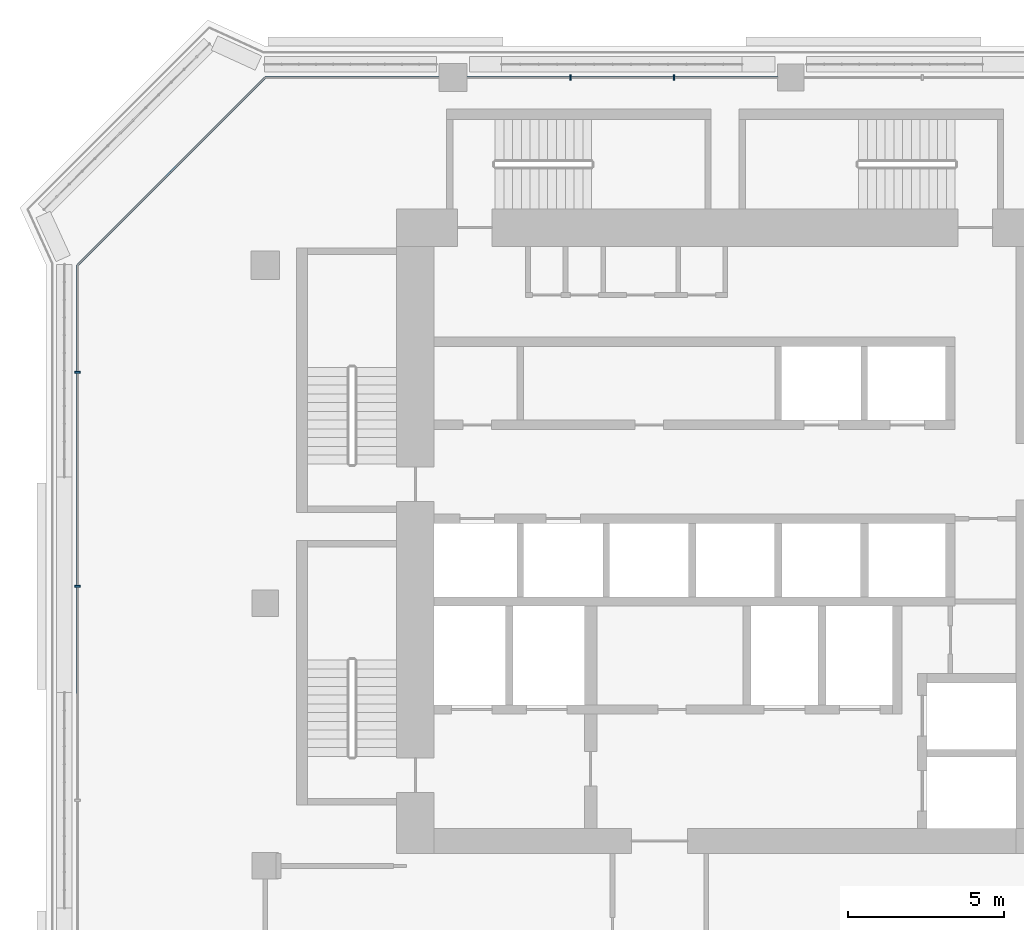
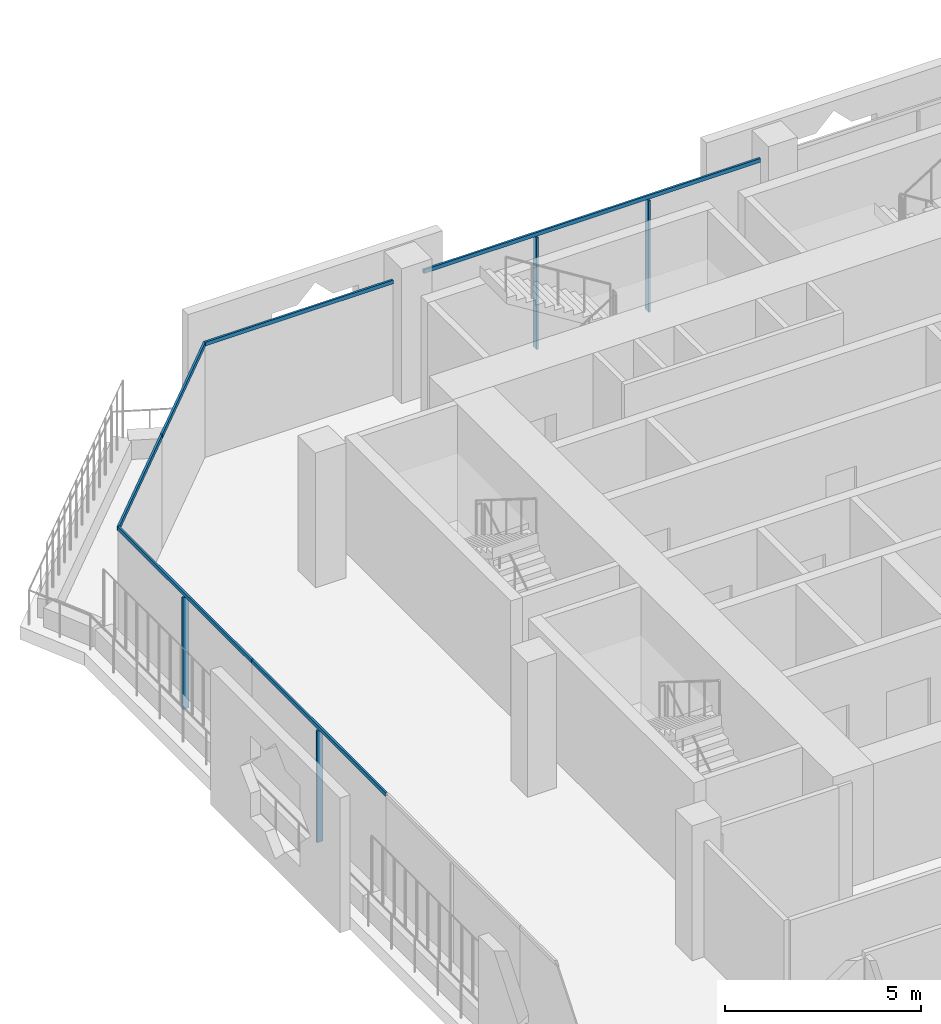
# One storey, part 6 of 23: 10 members, 3 elements without a shape of their own.
"""IFC4 building model written with IfcOpenShell, lengths in metres."""

import ifcopenshell
import ifcopenshell.guid

model = None  # the IFC model being written
_history = None  # IfcOwnerHistory: only IFC2X3 demands one
_inside = {}  # id of a spatial element -> (the spatial element, [elements in it])
_under = {}  # id of a project, library or spatial element -> (it, [spatial elements below it])
_declared = {}  # id of a project -> (the project, [libraries it declares])
_typed = {}  # id of a type object -> (the type object, [elements of that type])
_made_of = {}  # id of a material, layer set ... -> (it, [elements and type objects made of it])


def new_model(schema):
    """Start an empty IFC model of exactly this schema.

    Asked for "IFC4X3", IfcOpenShell would pick the latest addendum, in which some entities
    have other attributes; the version numbers below select the first issue.
    IFC2X3 requires an IfcOwnerHistory on every rooted entity: one is made here for all.
    """
    global model, _history
    if schema == "IFC4X3":
        model = ifcopenshell.file(schema_version=(4, 3, 0, 0))
    else:
        model = ifcopenshell.file(schema=schema)
    _inside.clear()
    _under.clear()
    _declared.clear()
    _typed.clear()
    _made_of.clear()
    _history = None
    if model.schema == "IFC2X3":
        org = make("IfcOrganization", Name="unknown")
        user = make(
            "IfcPersonAndOrganization",
            ThePerson=make("IfcPerson", FamilyName="unknown"),
            TheOrganization=org,
        )
        app = make(
            "IfcApplication",
            ApplicationDeveloper=org,
            Version="unknown",
            ApplicationFullName="unknown",
            ApplicationIdentifier="unknown",
        )
        _history = make(
            "IfcOwnerHistory",
            OwningUser=user,
            OwningApplication=app,
            ChangeAction="ADDED",
            CreationDate=0,
        )
    return model


def make(cls, **values):
    """One entity of the class cls with the attributes given. An attribute that is None is left unset."""
    return model.create_entity(
        cls, **{name: value for name, value in values.items() if value is not None}
    )


def rooted(cls, **values):
    """An entity with a GlobalId (a new one), such as an element, a storey or a relation."""
    return make(cls, GlobalId=ifcopenshell.guid.new(), OwnerHistory=_history, **values)


def si_unit(unit_type, name, prefix=None):
    """IfcSIUnit, for example si_unit("LENGTHUNIT", "METRE", prefix="MILLI")."""
    return make("IfcSIUnit", UnitType=unit_type, Prefix=prefix, Name=name)


def assignment(units):
    """IfcUnitAssignment: the units of a project."""
    return None if units is None else make("IfcUnitAssignment", Units=units)


def point(xyz):
    """IfcCartesianPoint."""
    return None if xyz is None else make("IfcCartesianPoint", Coordinates=xyz)


def direction(xyz):
    """IfcDirection."""
    return None if xyz is None else make("IfcDirection", DirectionRatios=xyz)


def frame(location, z_axis=None, x_axis=None):
    """IfcAxis2Placement3D, a coordinate frame: its origin and axes. An axis left out is left unset."""
    return make(
        "IfcAxis2Placement3D",
        Location=point(location),
        Axis=direction(z_axis),
        RefDirection=direction(x_axis),
    )


def frame_2d(location, x_axis=None):
    """IfcAxis2Placement2D, a coordinate frame in the plane: its origin and x axis."""
    return make(
        "IfcAxis2Placement2D", Location=point(location), RefDirection=direction(x_axis)
    )


def origin():
    """The frame at (0, 0, 0) with its axes left unset."""
    return frame((0.0, 0.0, 0.0))


def origin_2d():
    """The frame at (0, 0) in the plane with its x axis left unset."""
    return frame_2d((0.0, 0.0))


def place(relative_to, where):
    """IfcLocalPlacement: puts the frame where relative to a parent placement (None: the world)."""
    return make(
        "IfcLocalPlacement", PlacementRelTo=relative_to, RelativePlacement=where
    )


def context(
    kind, dimensions, precision=None, world=None, true_north=None, identifier=None
):
    """IfcGeometricRepresentationContext, for example the 3D "Model" context."""
    return make(
        "IfcGeometricRepresentationContext",
        ContextIdentifier=identifier,
        ContextType=kind,
        CoordinateSpaceDimension=dimensions,
        Precision=precision,
        WorldCoordinateSystem=world,
        TrueNorth=true_north,
    )


def subcontext(parent, identifier, kind, view, scale=None):
    """IfcGeometricRepresentationSubContext, for example "Body" below "Model"."""
    return make(
        "IfcGeometricRepresentationSubContext",
        ContextIdentifier=identifier,
        ContextType=kind,
        ParentContext=parent,
        TargetScale=scale,
        TargetView=view,
    )


def project(units=None, contexts=None):
    """IfcProject with its units and contexts."""
    return rooted(
        "IfcProject",
        Name="project",
        RepresentationContexts=contexts,
        UnitsInContext=assignment(units),
    )


def spatial(cls, under=None, at=None, **own):
    """A site, building, storey or space (cls), placed at a placement, below another one or the project."""
    s = rooted(cls, ObjectPlacement=at, **own)
    if under is not None:
        _under.setdefault(under.id(), (under, []))[1].append(s)
    return s


def profile(cls, at=None, kind="AREA", **sizes):
    """A parametric profile (cls). Its sizes go by their IFC names, for example OverallWidth=200.0."""
    return make(cls, ProfileType=kind, Position=at, **sizes)


def rectangle(**sizes):
    """IfcRectangleProfileDef."""
    return profile("IfcRectangleProfileDef", **sizes)


def extrude(swept, where, along, depth):
    """IfcExtrudedAreaSolid: the profile swept, set in the frame where, extruded along a direction by depth."""
    return make(
        "IfcExtrudedAreaSolid",
        SweptArea=swept,
        Position=where,
        ExtrudedDirection=direction(along),
        Depth=depth,
    )


def shape(context_of_items, identifier, shape_type, items):
    """IfcShapeRepresentation: the items that make up one representation, for example the "Body"."""
    return make(
        "IfcShapeRepresentation",
        ContextOfItems=context_of_items,
        RepresentationIdentifier=identifier,
        RepresentationType=shape_type,
        Items=items,
    )


def material(Name=None, Category=None):
    """IfcMaterial."""
    return make("IfcMaterial", Name=Name, Category=Category)


def layer(
    of_material, thickness, ventilated=None, Name=None, Category=None, Priority=None
):
    """IfcMaterialLayer: one layer of a wall or slab, of a material (None: an air gap)."""
    return make(
        "IfcMaterialLayer",
        Material=of_material,
        LayerThickness=thickness,
        IsVentilated=ventilated,
        Name=Name,
        Category=Category,
        Priority=Priority,
    )


def layer_set(layers, Name=None):
    """IfcMaterialLayerSet."""
    return make("IfcMaterialLayerSet", MaterialLayers=layers, LayerSetName=Name)


def material_profile(
    of_material, cross_section, Name=None, Category=None, Priority=None
):
    """IfcMaterialProfile: a cross section and its material."""
    return make(
        "IfcMaterialProfile",
        Name=Name,
        Material=of_material,
        Profile=cross_section,
        Priority=Priority,
        Category=Category,
    )


def profile_set(profiles, Name=None, composite=None):
    """IfcMaterialProfileSet."""
    return make(
        "IfcMaterialProfileSet",
        Name=Name,
        MaterialProfiles=profiles,
        CompositeProfile=composite,
    )


def made_of(thing, what):
    """Note that an element or type object is made of a material, layer set ...; save() writes the relation."""
    if what is not None:
        _made_of.setdefault(what.id(), (what, []))[1].append(thing)
    return thing


def type_object(cls, material=None, **own):
    """A type object (cls), such as IfcWallType, which elements share."""
    return made_of(rooted(cls, **own), material)


def element(
    cls,
    number,
    at=None,
    inside=None,
    cuts=None,
    type_object=None,
    material=None,
    context=None,
    identifier="Body",
    shape_type=None,
    held_by="IfcProductDefinitionShape",
    body=None,
    shapes=None,
    **own,
):
    """One element of the class cls, such as IfcWall. Its Tag is "e" and its number.

    at: its placement. inside: the storey or other place that contains it. cuts: it is an
    opening in that element (IfcRelVoidsElement). A single representation is given by context,
    identifier, shape_type and body (its items); several are given by shapes. held_by: the class
    of the entity that holds the representations. save() writes the other relations.
    """
    e = rooted(cls, Tag="e%d" % number, ObjectPlacement=at, **own)
    if body is not None:
        shapes = [shape(context, identifier, shape_type, body)]
    if shapes is not None:
        e.Representation = make(held_by, Representations=shapes)
    if inside is not None:
        _inside.setdefault(inside.id(), (inside, []))[1].append(e)
    if cuts is not None:
        rooted(
            "IfcRelVoidsElement", RelatingBuildingElement=cuts, RelatedOpeningElement=e
        )
    if type_object is not None:
        _typed.setdefault(type_object.id(), (type_object, []))[1].append(e)
    return made_of(e, material)


def aggregate(whole, parts):
    """IfcRelAggregates: a whole, such as a stair, and the parts it consists of."""
    return rooted("IfcRelAggregates", RelatingObject=whole, RelatedObjects=parts)


def save(model, path):
    """Write the relations noted so far, then the file.

    IfcRelAggregates (storeys below a building ...), IfcRelContainedInSpatialStructure (elements
    in a storey), IfcRelDefinesByType, IfcRelAssociatesMaterial and IfcRelDeclares: one each for
    every whole, place, type object, material and project.
    """
    for whole, parts in _under.values():
        aggregate(whole, parts)
    for where, things in _inside.values():
        rooted(
            "IfcRelContainedInSpatialStructure",
            RelatedElements=things,
            RelatingStructure=where,
        )
    for kind, things in _typed.values():
        rooted("IfcRelDefinesByType", RelatedObjects=things, RelatingType=kind)
    for what, things in _made_of.values():
        rooted("IfcRelAssociatesMaterial", RelatedObjects=things, RelatingMaterial=what)
    for by, libraries in _declared.values():
        rooted("IfcRelDeclares", RelatingContext=by, RelatedDefinitions=libraries)
    model.write(path)


model = new_model("IFC4")

# Units and contexts
model_context = context("Model", 3, precision=1e-05, world=origin(), true_north=direction((0.0, 1.0)))
body_context = subcontext(model_context, "Body", "Model", "MODEL_VIEW")
ifc_project = project(units=[si_unit("LENGTHUNIT", "METRE"), si_unit("AREAUNIT", "SQUARE_METRE"), si_unit("VOLUMEUNIT", "CUBIC_METRE"), si_unit("PLANEANGLEUNIT", "RADIAN"), si_unit("MASSUNIT", "GRAM", prefix="KILO")], contexts=[model_context])

# Site, building, storey
site_placement = place(None, origin())
site = spatial("IfcSite", under=ifc_project, at=site_placement, CompositionType="ELEMENT")
building_placement = place(site_placement, origin())
building = spatial("IfcBuilding", under=site, at=building_placement, Name="Kawkab Arch Medical Tower", CompositionType="ELEMENT")
storey_placement = place(building_placement, frame((0.0, 0.0, 226.39990234375)))
storey = spatial("IfcBuildingStorey", under=building, at=storey_placement, Name="L52", CompositionType="ELEMENT", Elevation=226.39990234375)

# Curtain wall, members
ifc_material_1 = material(Name="Bronze anodised aluminium curtain wall frame", Category="aluminium")
ifc_layer_1 = layer(ifc_material_1, 0.159912109375)
ifc_layer_set_1 = layer_set([ifc_layer_1], Name="Bronze anodised aluminium curtain wall frame")
curtain_wall_type_1 = type_object("IfcCurtainWallType", Name="CW1 ward curtain wall", PredefinedType="NOTDEFINED", material=ifc_layer_set_1)
placement = place(storey_placement, origin())
curtain_wall_1 = element("IfcCurtainWall", 1, at=placement, inside=storey, type_object=curtain_wall_type_1, Name="CW1 Ward curtain wall R09", PredefinedType="NOTDEFINED")
ifc_material_2 = material(Name="Bronze anodised aluminium curtain wall frame", Category="aluminium")
ifc_material_profile_1 = material_profile(ifc_material_2, rectangle(XDim=0.179931640625, YDim=0.06005859375, at=origin_2d()), Name="AL 60x180")
ifc_profile_set_1 = profile_set([ifc_material_profile_1], Name="Bronze anodised aluminium curtain wall frame")
member_type_1 = type_object("IfcMemberType", Name="CW1 mullion 60 x 180", PredefinedType="MULLION", material=ifc_profile_set_1)
member_1_placement = place(storey_placement, frame((13.066650390625, 0.0, 0.0), z_axis=(0.0, 0.0, 1.0), x_axis=(0.0, -1.0, 0.0)))
member_1 = element("IfcMember", 2, at=member_1_placement, type_object=member_type_1, Name="CW1 mullion 6.1", PredefinedType="MULLION", context=body_context, shape_type="SweptSolid", body=[
    extrude(rectangle(XDim=0.179931640625, YDim=0.06005859375, at=origin_2d()), origin(), (0.0, 0.0, 1.0), 3.47998046875),
])
member_2_placement = place(storey_placement, frame((9.75830078125, 0.0, 0.0), z_axis=(0.0, 0.0, 1.0), x_axis=(0.0, -1.0, 0.0)))
member_2 = element("IfcMember", 3, at=member_2_placement, type_object=member_type_1, Name="CW1 mullion 6.2", PredefinedType="MULLION", context=body_context, shape_type="SweptSolid", body=[
    extrude(rectangle(XDim=0.179931640625, YDim=0.06005859375, at=origin_2d()), origin(), (0.0, 0.0, 1.0), 3.47998046875),
])

curtain_wall_2 = element("IfcCurtainWall", 4, at=placement, inside=storey, type_object=curtain_wall_type_1, Name="CW1 Ward curtain wall R11", PredefinedType="NOTDEFINED")
member_3_placement = place(storey_placement, frame((-6.0, -9.419921875, 0.0), z_axis=(0.0, 0.0, 1.0), x_axis=(1.0, 0.0, 0.0)))
member_3 = element("IfcMember", 5, at=member_3_placement, type_object=member_type_1, Name="CW1 mullion 1.1", PredefinedType="MULLION", context=body_context, shape_type="SweptSolid", body=[
    extrude(rectangle(XDim=0.179931640625, YDim=0.06005859375, at=origin_2d()), origin(), (0.0, 0.0, 1.0), 3.47998046875),
])
member_4_placement = place(storey_placement, frame((-6.0, -16.260009765625, 0.0), z_axis=(0.0, 0.0, 1.0), x_axis=(1.0, 0.0, 0.0)))
member_4 = element("IfcMember", 6, at=member_4_placement, type_object=member_type_1, Name="CW1 mullion 2.1", PredefinedType="MULLION", context=body_context, shape_type="SweptSolid", body=[
    extrude(rectangle(XDim=0.179931640625, YDim=0.06005859375, at=origin_2d()), origin(), (0.0, 0.0, 1.0), 3.47998046875),
])

# Member
ifc_material_3 = material(Name="Bronze anodised aluminium curtain wall frame", Category="aluminium")
ifc_material_profile_2 = material_profile(ifc_material_3, rectangle(XDim=0.06005859375, YDim=0.1201171875, at=origin_2d()), Name="AL 60x120")
ifc_profile_set_2 = profile_set([ifc_material_profile_2], Name="Bronze anodised aluminium curtain wall frame")
member_type_2 = type_object("IfcMemberType", Name="CW1 transom 120 x 60", PredefinedType="USERDEFINED", material=ifc_profile_set_2)
member_5_placement = place(storey_placement, frame((16.375, 0.0, 3.5400390625), z_axis=(-1.0, 0.0, 0.0), x_axis=(0.0, -1.0, 0.0)))
member_5 = element("IfcMember", 7, at=member_5_placement, type_object=member_type_2, Name="CW1 transom 6", ObjectType="TRANSOM", PredefinedType="USERDEFINED", context=body_context, shape_type="SweptSolid", body=[
    extrude(rectangle(XDim=0.06005859375, YDim=0.1201171875, at=origin_2d()), origin(), (0.0, 0.0, 1.0), 9.925048828125),
])

member_6_placement = place(storey_placement, frame((5.550048828125, 0.0, 3.5400390625), z_axis=(-1.0, 0.0, 0.0), x_axis=(0.0, -1.0, 0.0)))
member_6 = element("IfcMember", 8, at=member_6_placement, type_object=member_type_2, Name="CW1 transom 7", ObjectType="TRANSOM", PredefinedType="USERDEFINED", context=body_context, shape_type="SweptSolid", body=[
    extrude(rectangle(XDim=0.06005859375, YDim=0.1201171875, at=origin_2d()), origin(), (0.0, 0.0, 1.0), 5.550048828125),
])

aggregate(curtain_wall_1, [member_5, member_1, member_2, member_6])

member_7_placement = place(storey_placement, frame((-6.0, -6.0, 3.5400390625), z_axis=(0.0, -1.0, 0.0), x_axis=(1.0, 0.0, 0.0)))
member_7 = element("IfcMember", 9, at=member_7_placement, type_object=member_type_2, Name="CW1 transom 1", ObjectType="TRANSOM", PredefinedType="USERDEFINED", context=body_context, shape_type="SweptSolid", body=[
    extrude(rectangle(XDim=0.06005859375, YDim=0.1201171875, at=origin_2d()), origin(), (0.0, 0.0, 1.0), 6.840087890625),
])

member_8_placement = place(storey_placement, frame((-6.0, -12.840087890625, 3.5400390625), z_axis=(0.0, -1.0, 0.0), x_axis=(1.0, 0.0, 0.0)))
member_8 = element("IfcMember", 10, at=member_8_placement, type_object=member_type_2, Name="CW1 transom 2", ObjectType="TRANSOM", PredefinedType="USERDEFINED", context=body_context, shape_type="SweptSolid", body=[
    extrude(rectangle(XDim=0.06005859375, YDim=0.1201171875, at=origin_2d()), origin(), (0.0, 0.0, 1.0), 6.83984375),
])

aggregate(curtain_wall_2, [member_7, member_3, member_8, member_4])

# Curtain wall, members
ifc_material_4 = material(Name="Bronze anodised aluminium curtain wall frame", Category="aluminium")
ifc_layer_2 = layer(ifc_material_4, 0.159912109375)
ifc_layer_set_2 = layer_set([ifc_layer_2], Name="Bronze anodised aluminium curtain wall frame")
curtain_wall_type_2 = type_object("IfcCurtainWallType", Name="CW2 chamfer curtain wall", PredefinedType="NOTDEFINED", material=ifc_layer_set_2)
curtain_wall_3 = element("IfcCurtainWall", 11, at=placement, inside=storey, type_object=curtain_wall_type_2, Name="CW2 Chamfer curtain wall R10", PredefinedType="NOTDEFINED")
ifc_material_5 = material(Name="Bronze anodised aluminium curtain wall frame", Category="aluminium")
ifc_material_profile_3 = material_profile(ifc_material_5, rectangle(XDim=0.06005859375, YDim=0.139892578125, at=origin_2d()), Name="AL 60x140")
ifc_profile_set_3 = profile_set([ifc_material_profile_3], Name="Bronze anodised aluminium curtain wall frame")
member_type_3 = type_object("IfcMemberType", Name="CW2 transom 140 x 60", PredefinedType="USERDEFINED", material=ifc_profile_set_3)
member_9_placement = place(storey_placement, frame((0.0, 0.0, 3.530029296875), z_axis=(-0.707106781187, -0.707106781187, 0.0), x_axis=(0.707106781187, -0.707106781187, 0.0)))
member_9 = element("IfcMember", 12, at=member_9_placement, type_object=member_type_3, Name="CW2 transom 1", ObjectType="TRANSOM", PredefinedType="USERDEFINED", context=body_context, shape_type="SweptSolid", body=[
    extrude(rectangle(XDim=0.06005859375, YDim=0.139892578125, at=origin_2d()), origin(), (0.0, 0.0, 1.0), 4.24267578125),
])
member_10_placement = place(storey_placement, frame((-3.0, -3.0, 3.530029296875), z_axis=(-0.707106781187, -0.707106781187, 0.0), x_axis=(0.707106781187, -0.707106781187, 0.0)))
member_10 = element("IfcMember", 13, at=member_10_placement, type_object=member_type_3, Name="CW2 transom 2", ObjectType="TRANSOM", PredefinedType="USERDEFINED", context=body_context, shape_type="SweptSolid", body=[
    extrude(rectangle(XDim=0.06005859375, YDim=0.139892578125, at=origin_2d()), origin(), (0.0, 0.0, 1.0), 4.24267578125),
])
aggregate(curtain_wall_3, [member_9, member_10])

save(model, "model.ifc")
